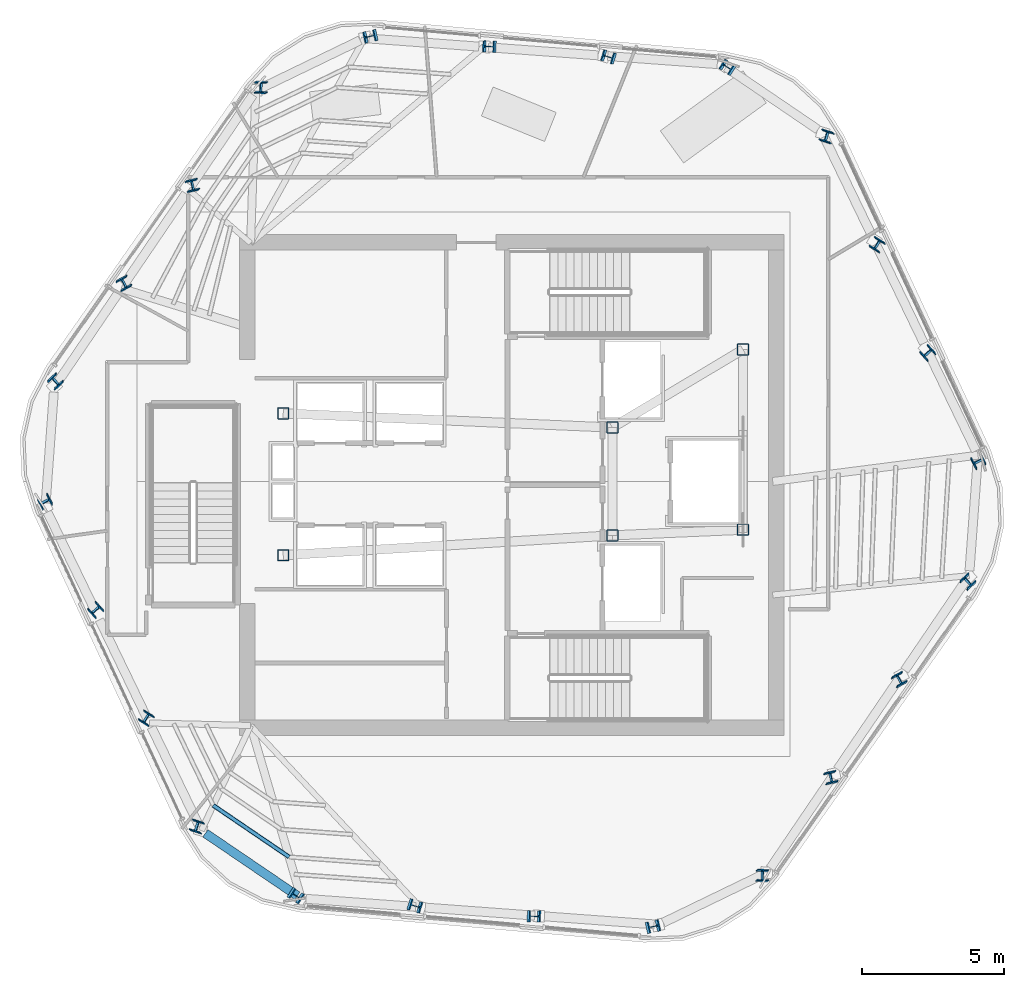
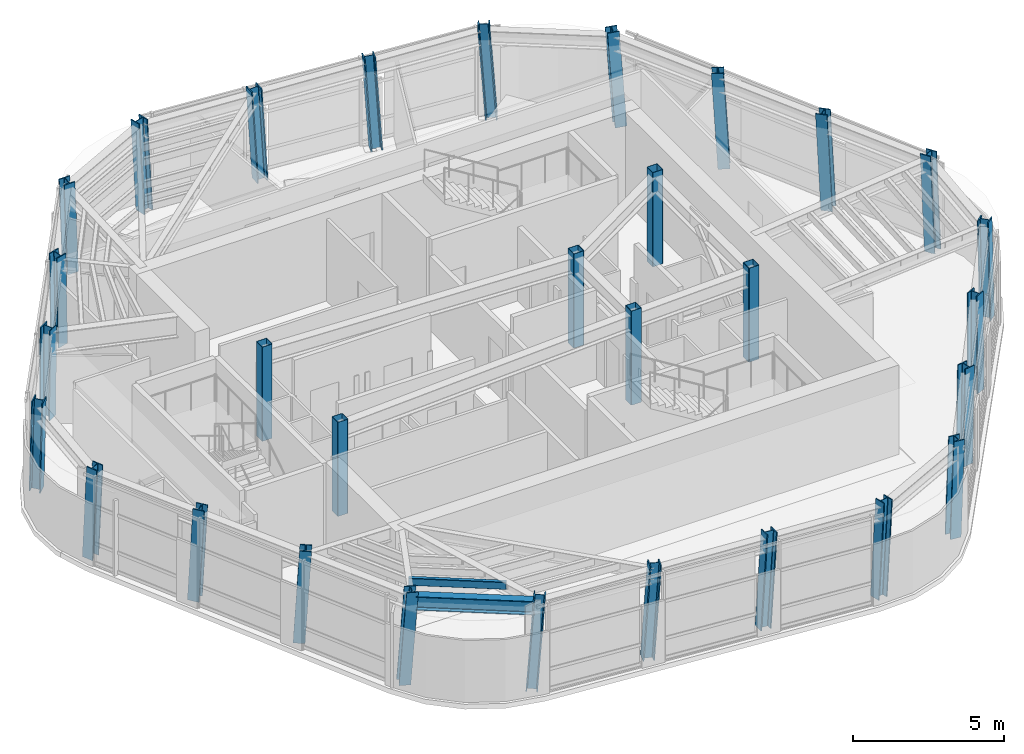
# One storey, part 1 of 12: 30 columns, 1 beam, 1 member.
"""IFC4 building model written with IfcOpenShell, lengths in metres."""

import ifcopenshell
import ifcopenshell.guid

model = None  # the IFC model being written
_history = None  # IfcOwnerHistory: only IFC2X3 demands one
_inside = {}  # id of a spatial element -> (the spatial element, [elements in it])
_under = {}  # id of a project, library or spatial element -> (it, [spatial elements below it])
_declared = {}  # id of a project -> (the project, [libraries it declares])
_typed = {}  # id of a type object -> (the type object, [elements of that type])
_made_of = {}  # id of a material, layer set ... -> (it, [elements and type objects made of it])


def new_model(schema):
    """Start an empty IFC model of exactly this schema.

    Asked for "IFC4X3", IfcOpenShell would pick the latest addendum, in which some entities
    have other attributes; the version numbers below select the first issue.
    IFC2X3 requires an IfcOwnerHistory on every rooted entity: one is made here for all.
    """
    global model, _history
    if schema == "IFC4X3":
        model = ifcopenshell.file(schema_version=(4, 3, 0, 0))
    else:
        model = ifcopenshell.file(schema=schema)
    _inside.clear()
    _under.clear()
    _declared.clear()
    _typed.clear()
    _made_of.clear()
    _history = None
    if model.schema == "IFC2X3":
        org = make("IfcOrganization", Name="unknown")
        user = make(
            "IfcPersonAndOrganization",
            ThePerson=make("IfcPerson", FamilyName="unknown"),
            TheOrganization=org,
        )
        app = make(
            "IfcApplication",
            ApplicationDeveloper=org,
            Version="unknown",
            ApplicationFullName="unknown",
            ApplicationIdentifier="unknown",
        )
        _history = make(
            "IfcOwnerHistory",
            OwningUser=user,
            OwningApplication=app,
            ChangeAction="ADDED",
            CreationDate=0,
        )
    return model


def make(cls, **values):
    """One entity of the class cls with the attributes given. An attribute that is None is left unset."""
    return model.create_entity(
        cls, **{name: value for name, value in values.items() if value is not None}
    )


def rooted(cls, **values):
    """An entity with a GlobalId (a new one), such as an element, a storey or a relation."""
    return make(cls, GlobalId=ifcopenshell.guid.new(), OwnerHistory=_history, **values)


def si_unit(unit_type, name, prefix=None):
    """IfcSIUnit, for example si_unit("LENGTHUNIT", "METRE", prefix="MILLI")."""
    return make("IfcSIUnit", UnitType=unit_type, Prefix=prefix, Name=name)


def assignment(units):
    """IfcUnitAssignment: the units of a project."""
    return None if units is None else make("IfcUnitAssignment", Units=units)


def point(xyz):
    """IfcCartesianPoint."""
    return None if xyz is None else make("IfcCartesianPoint", Coordinates=xyz)


def direction(xyz):
    """IfcDirection."""
    return None if xyz is None else make("IfcDirection", DirectionRatios=xyz)


def frame(location, z_axis=None, x_axis=None):
    """IfcAxis2Placement3D, a coordinate frame: its origin and axes. An axis left out is left unset."""
    return make(
        "IfcAxis2Placement3D",
        Location=point(location),
        Axis=direction(z_axis),
        RefDirection=direction(x_axis),
    )


def frame_2d(location, x_axis=None):
    """IfcAxis2Placement2D, a coordinate frame in the plane: its origin and x axis."""
    return make(
        "IfcAxis2Placement2D", Location=point(location), RefDirection=direction(x_axis)
    )


def origin():
    """The frame at (0, 0, 0) with its axes left unset."""
    return frame((0.0, 0.0, 0.0))


def origin_2d():
    """The frame at (0, 0) in the plane with its x axis left unset."""
    return frame_2d((0.0, 0.0))


def place(relative_to, where):
    """IfcLocalPlacement: puts the frame where relative to a parent placement (None: the world)."""
    return make(
        "IfcLocalPlacement", PlacementRelTo=relative_to, RelativePlacement=where
    )


def context(
    kind, dimensions, precision=None, world=None, true_north=None, identifier=None
):
    """IfcGeometricRepresentationContext, for example the 3D "Model" context."""
    return make(
        "IfcGeometricRepresentationContext",
        ContextIdentifier=identifier,
        ContextType=kind,
        CoordinateSpaceDimension=dimensions,
        Precision=precision,
        WorldCoordinateSystem=world,
        TrueNorth=true_north,
    )


def subcontext(parent, identifier, kind, view, scale=None):
    """IfcGeometricRepresentationSubContext, for example "Body" below "Model"."""
    return make(
        "IfcGeometricRepresentationSubContext",
        ContextIdentifier=identifier,
        ContextType=kind,
        ParentContext=parent,
        TargetScale=scale,
        TargetView=view,
    )


def project(units=None, contexts=None):
    """IfcProject with its units and contexts."""
    return rooted(
        "IfcProject",
        Name="project",
        RepresentationContexts=contexts,
        UnitsInContext=assignment(units),
    )


def spatial(cls, under=None, at=None, **own):
    """A site, building, storey or space (cls), placed at a placement, below another one or the project."""
    s = rooted(cls, ObjectPlacement=at, **own)
    if under is not None:
        _under.setdefault(under.id(), (under, []))[1].append(s)
    return s


def profile(cls, at=None, kind="AREA", **sizes):
    """A parametric profile (cls). Its sizes go by their IFC names, for example OverallWidth=200.0."""
    return make(cls, ProfileType=kind, Position=at, **sizes)


def hollow_rectangle(**sizes):
    """IfcRectangleHollowProfileDef."""
    return profile("IfcRectangleHollowProfileDef", **sizes)


def i_section(**sizes):
    """IfcIShapeProfileDef."""
    return profile("IfcIShapeProfileDef", **sizes)


def extrude(swept, where, along, depth):
    """IfcExtrudedAreaSolid: the profile swept, set in the frame where, extruded along a direction by depth."""
    return make(
        "IfcExtrudedAreaSolid",
        SweptArea=swept,
        Position=where,
        ExtrudedDirection=direction(along),
        Depth=depth,
    )


def shape(context_of_items, identifier, shape_type, items):
    """IfcShapeRepresentation: the items that make up one representation, for example the "Body"."""
    return make(
        "IfcShapeRepresentation",
        ContextOfItems=context_of_items,
        RepresentationIdentifier=identifier,
        RepresentationType=shape_type,
        Items=items,
    )


def material(Name=None, Category=None):
    """IfcMaterial."""
    return make("IfcMaterial", Name=Name, Category=Category)


def material_profile(
    of_material, cross_section, Name=None, Category=None, Priority=None
):
    """IfcMaterialProfile: a cross section and its material."""
    return make(
        "IfcMaterialProfile",
        Name=Name,
        Material=of_material,
        Profile=cross_section,
        Priority=Priority,
        Category=Category,
    )


def profile_set(profiles, Name=None, composite=None):
    """IfcMaterialProfileSet."""
    return make(
        "IfcMaterialProfileSet",
        Name=Name,
        MaterialProfiles=profiles,
        CompositeProfile=composite,
    )


def made_of(thing, what):
    """Note that an element or type object is made of a material, layer set ...; save() writes the relation."""
    if what is not None:
        _made_of.setdefault(what.id(), (what, []))[1].append(thing)
    return thing


def type_object(cls, material=None, **own):
    """A type object (cls), such as IfcWallType, which elements share."""
    return made_of(rooted(cls, **own), material)


def element(
    cls,
    number,
    at=None,
    inside=None,
    cuts=None,
    type_object=None,
    material=None,
    context=None,
    identifier="Body",
    shape_type=None,
    held_by="IfcProductDefinitionShape",
    body=None,
    shapes=None,
    **own,
):
    """One element of the class cls, such as IfcWall. Its Tag is "e" and its number.

    at: its placement. inside: the storey or other place that contains it. cuts: it is an
    opening in that element (IfcRelVoidsElement). A single representation is given by context,
    identifier, shape_type and body (its items); several are given by shapes. held_by: the class
    of the entity that holds the representations. save() writes the other relations.
    """
    e = rooted(cls, Tag="e%d" % number, ObjectPlacement=at, **own)
    if body is not None:
        shapes = [shape(context, identifier, shape_type, body)]
    if shapes is not None:
        e.Representation = make(held_by, Representations=shapes)
    if inside is not None:
        _inside.setdefault(inside.id(), (inside, []))[1].append(e)
    if cuts is not None:
        rooted(
            "IfcRelVoidsElement", RelatingBuildingElement=cuts, RelatedOpeningElement=e
        )
    if type_object is not None:
        _typed.setdefault(type_object.id(), (type_object, []))[1].append(e)
    return made_of(e, material)


def aggregate(whole, parts):
    """IfcRelAggregates: a whole, such as a stair, and the parts it consists of."""
    return rooted("IfcRelAggregates", RelatingObject=whole, RelatedObjects=parts)


def save(model, path):
    """Write the relations noted so far, then the file.

    IfcRelAggregates (storeys below a building ...), IfcRelContainedInSpatialStructure (elements
    in a storey), IfcRelDefinesByType, IfcRelAssociatesMaterial and IfcRelDeclares: one each for
    every whole, place, type object, material and project.
    """
    for whole, parts in _under.values():
        aggregate(whole, parts)
    for where, things in _inside.values():
        rooted(
            "IfcRelContainedInSpatialStructure",
            RelatedElements=things,
            RelatingStructure=where,
        )
    for kind, things in _typed.values():
        rooted("IfcRelDefinesByType", RelatedObjects=things, RelatingType=kind)
    for what, things in _made_of.values():
        rooted("IfcRelAssociatesMaterial", RelatedObjects=things, RelatingMaterial=what)
    for by, libraries in _declared.values():
        rooted("IfcRelDeclares", RelatingContext=by, RelatedDefinitions=libraries)
    model.write(path)


model = new_model("IFC4")

# Units and contexts
model_context = context("Model", 3, precision=1e-05, world=origin(), true_north=direction((0.0, 1.0)))
body_context = subcontext(model_context, "Body", "Model", "MODEL_VIEW")
ifc_project = project(units=[si_unit("LENGTHUNIT", "METRE"), si_unit("AREAUNIT", "SQUARE_METRE"), si_unit("VOLUMEUNIT", "CUBIC_METRE"), si_unit("PLANEANGLEUNIT", "RADIAN"), si_unit("MASSUNIT", "GRAM", prefix="KILO")], contexts=[model_context])

# Site, building, storey
site_placement = place(None, origin())
site = spatial("IfcSite", under=ifc_project, at=site_placement, CompositionType="ELEMENT")
building_placement = place(site_placement, origin())
building = spatial("IfcBuilding", under=site, at=building_placement, Name="Valkerne Bourse Tower", CompositionType="ELEMENT")
storey_placement = place(building_placement, frame((0.0, 0.0, 262.199951171875)))
storey = spatial("IfcBuildingStorey", under=building, at=storey_placement, Name="L66", CompositionType="ELEMENT", Elevation=262.199951171875)

# Columns
ifc_material_1 = material(Name="Steel ASTM A500 Grade C", Category="steel")
ifc_material_profile_1 = material_profile(ifc_material_1, hollow_rectangle(XDim=0.39990234375, YDim=0.39990234375, WallThickness=0.01611328125, OuterFilletRadius=0.031982421875, at=origin_2d()), Name="HSS400X400X16")
ifc_profile_set_1 = profile_set([ifc_material_profile_1], Name="Steel ASTM A500 Grade C")
column_type_1 = type_object("IfcColumnType", Name="COL-HSS400X400X16", PredefinedType="COLUMN", material=ifc_profile_set_1)
for number, where, z_axis, x_axis, name in (
    (1, (38.75, 24.39990234375, 0.005126953125), (0.0, 0.0, 1.0), (1.0, 0.0, 0.0), "L66 Core Frame Column CC-SW"),
    (2, (38.75, 29.39990234375, 0.005126953125), (0.0, 0.0, 1.0), (1.0, 0.0, 0.0), "L66 Core Frame Column CC-NW"),
    (3, (50.35009765625, 25.10009765625, 0.005126953125), (0.0, 0.0, 1.0), (1.0, 0.0, 0.0), "L66 Core Frame Column CC-CE1"),
    (4, (50.35009765625, 28.89990234375, 0.005126953125), (0.0, 0.0, 1.0), (1.0, 0.0, 0.0), "L66 Core Frame Column CC-CE2"),
    (5, (54.949951171875, 25.300048828125, 0.005126953125), (0.0, 0.0, 1.0), (1.0, 0.0, 0.0), "L66 Core Frame Column CC-SE"),
    (6, (54.949951171875, 31.64990234375, 0.005126953125), (0.0, 0.0, 1.0), (1.0, 0.0, 0.0), "L66 Core Frame Column CC-NE"),
):
    element("IfcColumn", number, at=place(storey_placement, frame(where, z_axis=z_axis, x_axis=x_axis)), inside=storey, type_object=column_type_1, Name=name, PredefinedType="COLUMN", context=body_context, shape_type="SweptSolid", body=[
        extrude(hollow_rectangle(XDim=0.39990234375, YDim=0.39990234375, WallThickness=0.01611328125, OuterFilletRadius=0.031982421875, at=origin_2d()), origin(), (0.0, 0.0, 1.0), 3.794921875),
    ])
ifc_material_2 = material(Name="Steel ASTM A913 Grade 65", Category="steel")
ifc_material_profile_2 = material_profile(ifc_material_2, i_section(OverallWidth=0.4013671875, OverallDepth=0.398681640625, WebThickness=0.02490234375, FlangeThickness=0.03955078125, FilletRadius=0.025390625, at=origin_2d()), Name="W14X211")
ifc_profile_set_2 = profile_set([ifc_material_profile_2], Name="Steel ASTM A913 Grade 65")
column_type_2 = type_object("IfcColumnType", Name="COL-W14X211", PredefinedType="COLUMN", material=ifc_profile_set_2)
column_1_placement = place(storey_placement, frame((54.444091796875, 41.576904296875, 0.010009765625), z_axis=(-0.060683361767, 0.031243556748, 0.997667965691), x_axis=(0.534790712744, 0.844962768501, 0.006067405481)))
element("IfcColumn", 7, at=column_1_placement, inside=storey, type_object=column_type_2, Name="L66 Helical Perimeter Tube Column F1-C1", PredefinedType="COLUMN", context=body_context, shape_type="SweptSolid", body=[
    extrude(i_section(OverallWidth=0.4013671875, OverallDepth=0.398681640625, WebThickness=0.02490234375, FlangeThickness=0.03955078125, FilletRadius=0.025390625, at=origin_2d()), origin(), (0.0, 0.0, 1.0), 3.789794921875),
])
for number, where, z_axis, x_axis, name in (
    (8, (50.248779296875, 41.951416015625, 0.010009765625), (-0.06211960981, 0.013790037862, 0.997973440996), (0.302463864134, 0.953144068236, 0.005656507679), "L66 Helical Perimeter Tube Column F1-C2"),
    (9, (46.053466796875, 42.32568359375, 0.010009765625), (-0.063537260236, -0.00354416766, 0.997973173706), (0.033102564048, 0.999435950904, 0.005656880316), "L66 Helical Perimeter Tube Column F1-C3"),
):
    element("IfcColumn", number, at=place(storey_placement, frame(where, z_axis=z_axis, x_axis=x_axis)), inside=storey, type_object=column_type_2, Name=name, PredefinedType="COLUMN", context=body_context, shape_type="SweptSolid", body=[
        extrude(i_section(OverallWidth=0.4013671875, OverallDepth=0.398681640625, WebThickness=0.02490234375, FlangeThickness=0.03955078125, FilletRadius=0.025390625, at=origin_2d()), origin(), (0.0, 0.0, 1.0), 3.78857421875),
    ])
for number, where, z_axis, x_axis, name in (
    (10, (41.858154296875, 42.7001953125, 0.010009765625), (-0.064935095822, -0.021000834562, 0.997668481149), (-0.222117833341, 0.975000955297, 0.006066735676), "L66 Helical Perimeter Tube Column F1-C4"),
    (11, (37.998046875, 40.908447265625, 0.010009765625), (-0.05733379409, -0.036912656195, 0.99767243716), (-0.997575110768, 0.041611633938, -0.055788621575), "L66 Helical Perimeter Tube Column F2-C1"),
):
    element("IfcColumn", number, at=place(storey_placement, frame(where, z_axis=z_axis, x_axis=x_axis)), inside=storey, type_object=column_type_2, Name=name, PredefinedType="COLUMN", context=body_context, shape_type="SweptSolid", body=[
        extrude(i_section(OverallWidth=0.4013671875, OverallDepth=0.398681640625, WebThickness=0.02490234375, FlangeThickness=0.03955078125, FilletRadius=0.025390625, at=origin_2d()), origin(), (0.0, 0.0, 1.0), 3.789794921875),
    ])
for number, where, z_axis, x_axis, name in (
    (12, (35.576171875, 37.46240234375, 0.010009765625), (-0.043045569045, -0.046847498047, 0.997974143409), (-0.975842952611, -0.212181968962, -0.052051358157), "L66 Helical Perimeter Tube Column F2-C2"),
    (13, (33.154296875, 34.016357421875, 0.010009765625), (-0.028675494999, -0.056835475482, 0.997971665286), (-0.881153590678, -0.469952864569, -0.05208315196), "L66 Helical Perimeter Tube Column F2-C3"),
):
    element("IfcColumn", number, at=place(storey_placement, frame(where, z_axis=z_axis, x_axis=x_axis)), inside=storey, type_object=column_type_2, Name=name, PredefinedType="COLUMN", context=body_context, shape_type="SweptSolid", body=[
        extrude(i_section(OverallWidth=0.4013671875, OverallDepth=0.398681640625, WebThickness=0.02490234375, FlangeThickness=0.03955078125, FilletRadius=0.025390625, at=origin_2d()), origin(), (0.0, 0.0, 1.0), 3.78857421875),
    ])
for number, where, z_axis, x_axis, name in (
    (14, (30.732421875, 30.5703125, 0.010009765625), (-0.014301174696, -0.066738815249, 0.997667984322), (-0.733267919789, -0.677642855948, -0.05584189817), "L66 Helical Perimeter Tube Column F2-C4"),
    (15, (30.35400390625, 26.33154296875, 0.010009765625), (0.00328540919, -0.068156135751, 0.997669257443), (0.464118290071, -0.883608252521, -0.06189239775), "L66 Helical Perimeter Tube Column F3-C1"),
):
    element("IfcColumn", number, at=place(storey_placement, frame(where, z_axis=z_axis, x_axis=x_axis)), inside=storey, type_object=column_type_2, Name=name, PredefinedType="COLUMN", context=body_context, shape_type="SweptSolid", body=[
        extrude(i_section(OverallWidth=0.4013671875, OverallDepth=0.398681640625, WebThickness=0.02490234375, FlangeThickness=0.03955078125, FilletRadius=0.025390625, at=origin_2d()), origin(), (0.0, 0.0, 1.0), 3.789794921875),
    ])
for number, where, z_axis, x_axis, name in (
    (16, (32.12744140625, 22.510986328125, 0.010009765625), (0.019074075497, -0.060701956481, 0.997973673061), (0.673029660961, -0.737360304297, -0.057713578246), "L66 Helical Perimeter Tube Column F3-C2"),
    (17, (33.90087890625, 18.6904296875, 0.010009765625), (0.034861860504, -0.053162726277, 0.997977141631), (0.848473900879, -0.52608637907, -0.057664211475), "L66 Helical Perimeter Tube Column F3-C3"),
):
    element("IfcColumn", number, at=place(storey_placement, frame(where, z_axis=z_axis, x_axis=x_axis)), inside=storey, type_object=column_type_2, Name=name, PredefinedType="COLUMN", context=body_context, shape_type="SweptSolid", body=[
        extrude(i_section(OverallWidth=0.4013671875, OverallDepth=0.398681640625, WebThickness=0.02490234375, FlangeThickness=0.03955078125, FilletRadius=0.025390625, at=origin_2d()), origin(), (0.0, 0.0, 1.0), 3.78857421875),
    ])
for number, where, z_axis, x_axis, name in (
    (18, (35.67431640625, 14.8701171875, 0.010009765625), (0.050633960652, -0.04573805606, 0.997669400281), (0.953752211885, -0.294153503993, -0.061890503414), "L66 Helical Perimeter Tube Column F3-C4"),
    (19, (39.156005859375, 12.423095703125, 0.010009765625), (0.06061917891, -0.031243678822, 0.997671863732), (0.535156332503, 0.844731287354, -0.006062338382), "L66 Helical Perimeter Tube Column F4-C1"),
):
    element("IfcColumn", number, at=place(storey_placement, frame(where, z_axis=z_axis, x_axis=x_axis)), inside=storey, type_object=column_type_2, Name=name, PredefinedType="COLUMN", context=body_context, shape_type="SweptSolid", body=[
        extrude(i_section(OverallWidth=0.4013671875, OverallDepth=0.398681640625, WebThickness=0.02490234375, FlangeThickness=0.03955078125, FilletRadius=0.025390625, at=origin_2d()), origin(), (0.0, 0.0, 1.0), 3.789794921875),
    ])
for number, where, z_axis, x_axis, name in (
    (20, (43.351318359375, 12.048583984375, 0.010009765625), (0.062055418657, -0.013790093035, 0.997977433788), (0.302673593488, 0.953077521874, -0.005650938261), "L66 Helical Perimeter Tube Column F4-C2"),
    (21, (47.546630859375, 11.67431640625, 0.010009765625), (0.063473080571, 0.003544182164, 0.997977257665), (0.033046503763, 0.999437838341, -0.005651184046), "L66 Helical Perimeter Tube Column F4-C3"),
):
    element("IfcColumn", number, at=place(storey_placement, frame(where, z_axis=z_axis, x_axis=x_axis)), inside=storey, type_object=column_type_2, Name=name, PredefinedType="COLUMN", context=body_context, shape_type="SweptSolid", body=[
        extrude(i_section(OverallWidth=0.4013671875, OverallDepth=0.398681640625, WebThickness=0.02490234375, FlangeThickness=0.03955078125, FilletRadius=0.025390625, at=origin_2d()), origin(), (0.0, 0.0, 1.0), 3.78857421875),
    ])
for number, where, z_axis, x_axis, name in (
    (22, (51.741943359375, 11.2998046875, 0.010009765625), (0.064870947312, 0.021000922367, 0.997672652454), (-0.222400928971, 0.974936452946, -0.006061312597), "L66 Helical Perimeter Tube Column F4-C4"),
    (23, (55.60205078125, 13.091552734375, 0.010009765625), (0.05733379409, 0.036912656195, 0.99767243716), (-0.997575110768, 0.041611633938, 0.055788621575), "L66 Helical Perimeter Tube Column F5-C1"),
):
    element("IfcColumn", number, at=place(storey_placement, frame(where, z_axis=z_axis, x_axis=x_axis)), inside=storey, type_object=column_type_2, Name=name, PredefinedType="COLUMN", context=body_context, shape_type="SweptSolid", body=[
        extrude(i_section(OverallWidth=0.4013671875, OverallDepth=0.398681640625, WebThickness=0.02490234375, FlangeThickness=0.03955078125, FilletRadius=0.025390625, at=origin_2d()), origin(), (0.0, 0.0, 1.0), 3.789794921875),
    ])
for number, where, z_axis, x_axis, name in (
    (24, (58.02392578125, 16.53759765625, 0.010009765625), (0.042981248704, 0.046847627898, 0.997976909563), (-0.975685850653, -0.212911889304, 0.052015845929), "L66 Helical Perimeter Tube Column F5-C2"),
    (25, (60.44580078125, 19.983642578125, 0.010009765625), (0.028611108494, 0.056835580386, 0.9979735073), (-0.880729001372, -0.470750711523, 0.052059521158), "L66 Helical Perimeter Tube Column F5-C3"),
):
    element("IfcColumn", number, at=place(storey_placement, frame(where, z_axis=z_axis, x_axis=x_axis)), inside=storey, type_object=column_type_2, Name=name, PredefinedType="COLUMN", context=body_context, shape_type="SweptSolid", body=[
        extrude(i_section(OverallWidth=0.4013671875, OverallDepth=0.398681640625, WebThickness=0.02490234375, FlangeThickness=0.03955078125, FilletRadius=0.025390625, at=origin_2d()), origin(), (0.0, 0.0, 1.0), 3.78857421875),
    ])
for number, where, z_axis, x_axis, name in (
    (26, (62.86767578125, 23.4296875, 0.010009765625), (0.014301174696, 0.066738815249, 0.997667984322), (-0.733267919789, -0.677642855948, 0.05584189817), "L66 Helical Perimeter Tube Column F5-C4"),
    (27, (63.24609375, 27.66845703125, 0.010009765625), (-0.003349828262, 0.068156121185, 0.99766904422), (0.464951268346, -0.88317002844, 0.061895225418), "L66 Helical Perimeter Tube Column F6-C1"),
):
    element("IfcColumn", number, at=place(storey_placement, frame(where, z_axis=z_axis, x_axis=x_axis)), inside=storey, type_object=column_type_2, Name=name, PredefinedType="COLUMN", context=body_context, shape_type="SweptSolid", body=[
        extrude(i_section(OverallWidth=0.4013671875, OverallDepth=0.398681640625, WebThickness=0.02490234375, FlangeThickness=0.03955078125, FilletRadius=0.025390625, at=origin_2d()), origin(), (0.0, 0.0, 1.0), 3.789794921875),
    ])
for number, where, z_axis, x_axis, name in (
    (28, (61.47265625, 31.489013671875, 0.010009765625), (-0.019074075497, 0.060701956481, 0.997973673061), (0.673029660961, -0.737360304297, 0.057713578246), "L66 Helical Perimeter Tube Column F6-C2"),
    (29, (59.69921875, 35.3095703125, 0.010009765625), (-0.034861860504, 0.053162726277, 0.997977141631), (0.848473900879, -0.52608637907, 0.057664211475), "L66 Helical Perimeter Tube Column F6-C3"),
):
    element("IfcColumn", number, at=place(storey_placement, frame(where, z_axis=z_axis, x_axis=x_axis)), inside=storey, type_object=column_type_2, Name=name, PredefinedType="COLUMN", context=body_context, shape_type="SweptSolid", body=[
        extrude(i_section(OverallWidth=0.4013671875, OverallDepth=0.398681640625, WebThickness=0.02490234375, FlangeThickness=0.03955078125, FilletRadius=0.025390625, at=origin_2d()), origin(), (0.0, 0.0, 1.0), 3.78857421875),
    ])
column_2_placement = place(storey_placement, frame((57.92578125, 39.1298828125, 0.010009765625), z_axis=(-0.050633960652, 0.04573805606, 0.997669400281), x_axis=(0.953752211885, -0.294153503993, 0.061890503414)))
element("IfcColumn", 30, at=column_2_placement, inside=storey, type_object=column_type_2, Name="L66 Helical Perimeter Tube Column F6-C4", PredefinedType="COLUMN", context=body_context, shape_type="SweptSolid", body=[
    extrude(i_section(OverallWidth=0.4013671875, OverallDepth=0.398681640625, WebThickness=0.02490234375, FlangeThickness=0.03955078125, FilletRadius=0.025390625, at=origin_2d()), origin(), (0.0, 0.0, 1.0), 3.789794921875),
])

# Beam
ifc_material_3 = material(Name="Steel ASTM A992", Category="steel")
ifc_material_profile_3 = material_profile(ifc_material_3, i_section(OverallWidth=0.31494140625, OverallDepth=0.5537109375, WebThickness=0.0166015625, FlangeThickness=0.026123046875, FilletRadius=0.020263671875, at=origin_2d()), Name="W21X132")
ifc_profile_set_3 = profile_set([ifc_material_profile_3], Name="Steel ASTM A992")
beam_type = type_object("IfcBeamType", Name="BM-W21X132", PredefinedType="BEAM", material=ifc_profile_set_3)
beam_placement = place(storey_placement, frame((36.006591796875, 14.601318359375, 3.3232421875), z_axis=(0.827077231919, -0.562088295948, 0.0), x_axis=(0.562088295948, 0.827077231919, 0.0)))
element("IfcBeam", 31, at=beam_placement, inside=storey, type_object=beam_type, Name="L66 Hexagonal Spandrel Ring Beam 11", PredefinedType="BEAM", context=body_context, shape_type="SweptSolid", body=[
    extrude(i_section(OverallWidth=0.31494140625, OverallDepth=0.5537109375, WebThickness=0.0166015625, FlangeThickness=0.026123046875, FilletRadius=0.020263671875, at=origin_2d()), origin(), (0.0, 0.0, 1.0), 3.91552734375),
])

# Member
ifc_material_profile_4 = material_profile(ifc_material_1, hollow_rectangle(XDim=0.14990234375, YDim=0.300048828125, WallThickness=0.012451171875, OuterFilletRadius=0.02490234375, at=origin_2d()), Name="HSS300X150X12.5")
ifc_profile_set_4 = profile_set([ifc_material_profile_4], Name="Steel ASTM A500 Grade C")
member_type = type_object("IfcMemberType", Name="MBR-HSS300X150X12.5", PredefinedType="PURLIN", material=ifc_profile_set_4)
member_placement = place(storey_placement, frame((36.2822265625, 15.585693359375, 3.43994140625), z_axis=(0.827058449266, -0.562115932435, 0.0), x_axis=(0.562115932435, 0.827058449266, 0.0)))
element("IfcMember", 32, at=member_placement, inside=storey, type_object=member_type, Name="L66 Secondary Composite Floor Purlin O-11", PredefinedType="PURLIN", context=body_context, shape_type="SweptSolid", body=[
    extrude(hollow_rectangle(XDim=0.14990234375, YDim=0.300048828125, WallThickness=0.012451171875, OuterFilletRadius=0.02490234375, at=origin_2d()), origin(), (0.0, 0.0, 1.0), 3.234375),
])

save(model, "model.ifc")
